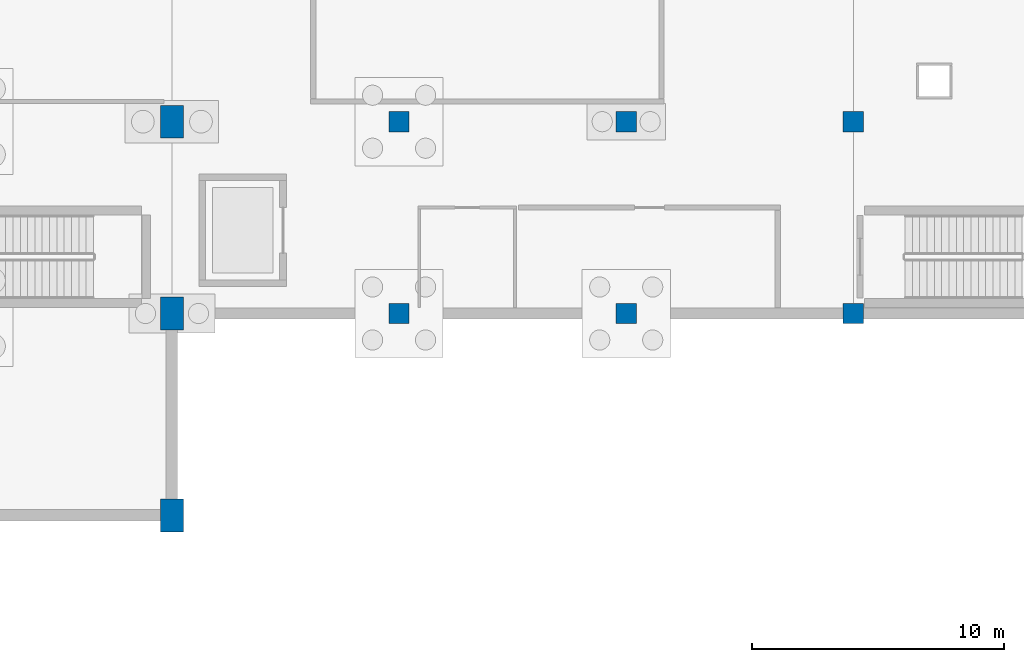
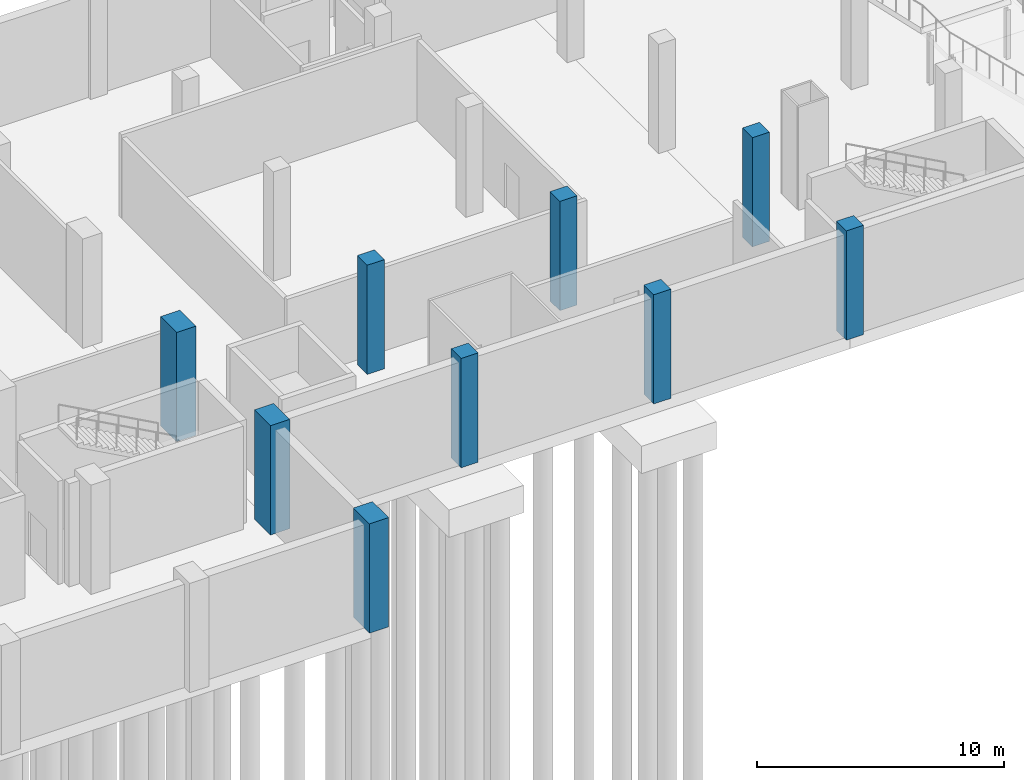
# One storey, part 5 of 20: 9 columns.
"""IFC4 building model written with IfcOpenShell, lengths in metres."""

from ifc_helpers import new_model, si_unit, direction, frame, origin, origin_2d, place, context, subcontext, project, spatial, rectangle, extrude, material, material_profile, profile_set, type_object, element, save


model = new_model("IFC4")

# Units and contexts
model_context = context("Model", 3, precision=1e-05, world=origin(), true_north=direction((0.0, 1.0)))
body_context = subcontext(model_context, "Body", "Model", "MODEL_VIEW")
ifc_project = project(units=[si_unit("LENGTHUNIT", "METRE"), si_unit("AREAUNIT", "SQUARE_METRE"), si_unit("VOLUMEUNIT", "CUBIC_METRE"), si_unit("PLANEANGLEUNIT", "RADIAN"), si_unit("MASSUNIT", "GRAM", prefix="KILO")], contexts=[model_context])

# Site, building, storey
site_placement = place(None, origin())
site = spatial("IfcSite", under=ifc_project, at=site_placement, CompositionType="ELEMENT")
building_placement = place(site_placement, origin())
building = spatial("IfcBuilding", under=site, at=building_placement, Name="Shengluoqiao Park Theatre", CompositionType="ELEMENT")
storey_placement = place(building_placement, frame((0.0, 0.0, -5.39990234375)))
storey = spatial("IfcBuildingStorey", under=building, at=storey_placement, Name="B1", CompositionType="ELEMENT", Elevation=-5.39990234375)

# Columns
ifc_material = material(Name="Concrete C50", Category="concrete")
ifc_material_profile_1 = material_profile(ifc_material, rectangle(XDim=0.800048828125, YDim=0.800048828125, at=origin_2d()), Name="RC 800x800")
ifc_profile_set_1 = profile_set([ifc_material_profile_1], Name="Concrete C50")
column_type_1 = type_object("IfcColumnType", Name="STR-COL-C-RC800", PredefinedType="COLUMN", material=ifc_profile_set_1)
for number, where, z_axis, x_axis, name in (
    (1, (121.39990234375, 84.0, 0.0), (0.0, 0.0, 1.0), (1.0, 0.0, 0.0), "B1 Column 0593"),
    (2, (121.39990234375, 91.60009765625, 0.0), (0.0, 0.0, 1.0), (1.0, 0.0, 0.0), "B1 Column 0600"),
    (3, (130.39990234375, 84.0, 0.0), (0.0, 0.0, 1.0), (1.0, 0.0, 0.0), "B1 Column 0635"),
    (4, (130.39990234375, 91.60009765625, 0.0), (0.0, 0.0, 1.0), (1.0, 0.0, 0.0), "B1 Column 0642"),
    (5, (139.39990234375, 84.0, 0.0), (0.0, 0.0, 1.0), (1.0, 0.0, 0.0), "B1 Column 0680"),
    (6, (139.39990234375, 91.60009765625, 0.0), (0.0, 0.0, 1.0), (1.0, 0.0, 0.0), "B1 Column 0687"),
):
    element("IfcColumn", number, at=place(storey_placement, frame(where, z_axis=z_axis, x_axis=x_axis)), inside=storey, type_object=column_type_1, Name=name, PredefinedType="COLUMN", context=body_context, shape_type="SweptSolid", body=[
        extrude(rectangle(XDim=0.800048828125, YDim=0.800048828125, at=origin_2d()), origin(), (0.0, 0.0, 1.0), 5.39990234375),
    ])
ifc_material_profile_2 = material_profile(ifc_material, rectangle(XDim=0.89990234375, YDim=1.300048828125, at=origin_2d()), Name="RC 900x1300")
ifc_profile_set_2 = profile_set([ifc_material_profile_2], Name="Concrete C50")
column_type_2 = type_object("IfcColumnType", Name="STR-COL-C-RC9013", PredefinedType="COLUMN", material=ifc_profile_set_2)
for number, where, z_axis, x_axis, name in (
    (7, (112.39990234375, 76.0, 0.0), (0.0, 0.0, 1.0), (1.0, 0.0, 0.0), "B1 Column 0544"),
    (8, (112.39990234375, 84.0, 0.0), (0.0, 0.0, 1.0), (1.0, 0.0, 0.0), "B1 Column 0548"),
    (9, (112.39990234375, 91.60009765625, 0.0), (0.0, 0.0, 1.0), (1.0, 0.0, 0.0), "B1 Column 0555"),
):
    element("IfcColumn", number, at=place(storey_placement, frame(where, z_axis=z_axis, x_axis=x_axis)), inside=storey, type_object=column_type_2, Name=name, PredefinedType="COLUMN", context=body_context, shape_type="SweptSolid", body=[
        extrude(rectangle(XDim=0.89990234375, YDim=1.300048828125, at=origin_2d()), origin(), (0.0, 0.0, 1.0), 5.39990234375),
    ])

save(model, "model.ifc")
